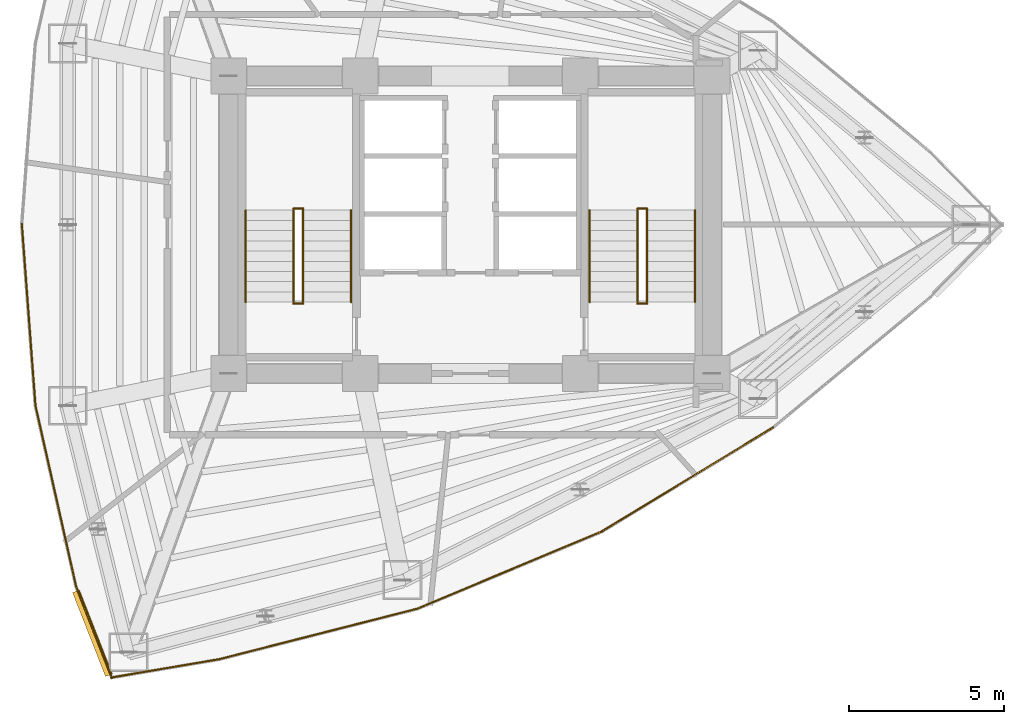
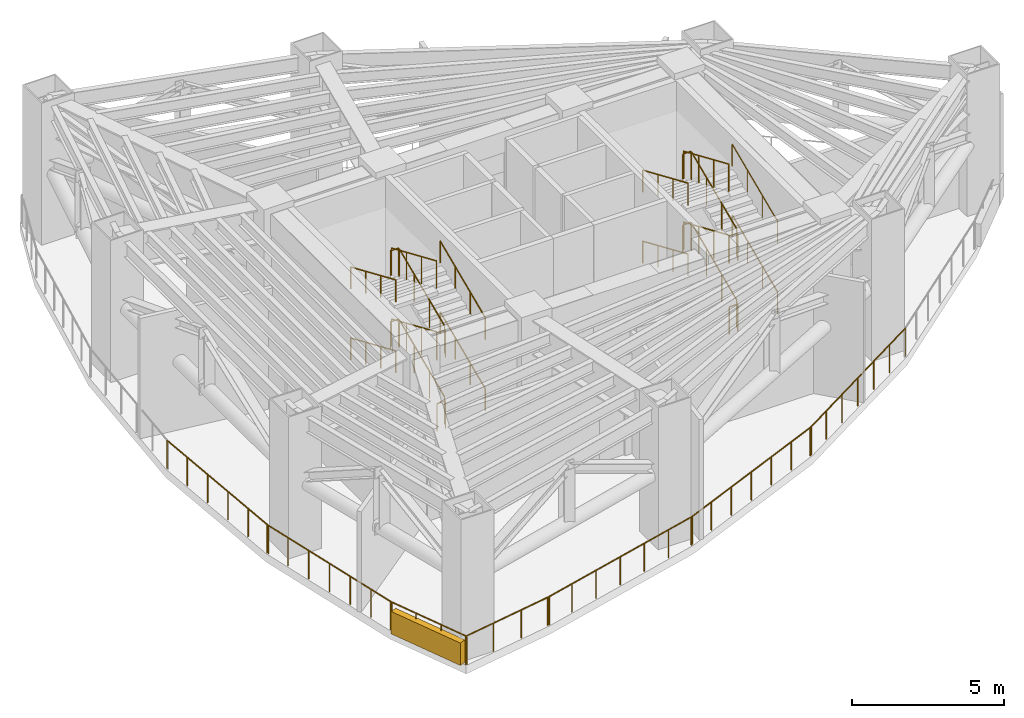
# One storey, part 6 of 7: 31 railings, 1 shading device.
"""IFC4 building model written with IfcOpenShell, lengths in metres."""

from ifc_helpers import new_model, si_unit, direction, frame, origin, origin_2d, place, context, subcontext, project, spatial, rectangle, circle, extrude, material, layer, layer_set, type_object, element, save


model = new_model("IFC4")

# Units and contexts
model_context = context("Model", 3, precision=1e-05, world=origin(), true_north=direction((0.0, 1.0)))
body_context = subcontext(model_context, "Body", "Model", "MODEL_VIEW")
ifc_project = project(units=[si_unit("LENGTHUNIT", "METRE"), si_unit("AREAUNIT", "SQUARE_METRE"), si_unit("VOLUMEUNIT", "CUBIC_METRE"), si_unit("PLANEANGLEUNIT", "RADIAN"), si_unit("MASSUNIT", "GRAM", prefix="KILO")], contexts=[model_context])

# Site, building, storey
site_placement = place(None, origin())
site = spatial("IfcSite", under=ifc_project, at=site_placement, CompositionType="ELEMENT")
building_placement = place(site_placement, origin())
building = spatial("IfcBuilding", under=site, at=building_placement, Name="Menara Vayukalpa", CompositionType="ELEMENT")
storey_placement = place(building_placement, frame((0.0, 0.0, 83.39990234375)))
storey = spatial("IfcBuildingStorey", under=building, at=storey_placement, Name="L20", CompositionType="ELEMENT", Elevation=83.39990234375)

# Railings
ifc_material_1 = material(Name="Laminated Glass and Stainless Steel 316 Guardrail", Category="steel")
railing_type_1 = type_object("IfcRailingType", Name="RLG-EXT115", PredefinedType="GUARDRAIL", material=ifc_material_1)
railing_1_placement = place(storey_placement, frame((35.376708984375, 15.462646484375, 0.0)))
element("IfcRailing", 1, at=railing_1_placement, inside=storey, type_object=railing_type_1, Name="L20 Wind Floor Perimeter Guardrail 02", PredefinedType="GUARDRAIL", context=body_context, shape_type="SweptSolid", body=[
    extrude(circle(Radius=0.02392578125, at=origin_2d()), frame((0.0, 0.0, 1.1259765625), z_axis=(-0.85465736355, -0.519192441133, 0.0), x_axis=(0.519192441133, -0.85465736355, 0.0)), (0.0, 0.0, 1.0), 6.509765625),
    extrude(circle(Radius=0.02099609375, at=origin_2d()), origin(), (0.0, 0.0, 1.0), 1.101806640625),
    extrude(circle(Radius=0.02099609375, at=origin_2d()), frame((-0.92724609375, -0.563232421875, 0.0)), (0.0, 0.0, 1.0), 1.101806640625),
    extrude(circle(Radius=0.02099609375, at=origin_2d()), frame((-1.8544921875, -1.126708984375, 0.0)), (0.0, 0.0, 1.0), 1.101806640625),
    extrude(circle(Radius=0.02099609375, at=origin_2d()), frame((-2.78173828125, -1.68994140625, 0.0)), (0.0, 0.0, 1.0), 1.101806640625),
    extrude(circle(Radius=0.02099609375, at=origin_2d()), frame((-3.709228515625, -2.253173828125, 0.0)), (0.0, 0.0, 1.0), 1.101806640625),
    extrude(circle(Radius=0.02099609375, at=origin_2d()), frame((-4.636474609375, -2.816650390625, 0.0)), (0.0, 0.0, 1.0), 1.101806640625),
    extrude(circle(Radius=0.02099609375, at=origin_2d()), frame((-5.563720703125, -3.3798828125, 0.0)), (0.0, 0.0, 1.0), 1.101806640625),
])
railing_2_placement = place(storey_placement, frame((29.8662109375, 12.110107421875, 0.0)))
element("IfcRailing", 2, at=railing_2_placement, inside=storey, type_object=railing_type_1, Name="L20 Wind Floor Perimeter Guardrail 03", PredefinedType="GUARDRAIL", context=body_context, shape_type="SweptSolid", body=[
    extrude(circle(Radius=0.02392578125, at=origin_2d()), frame((0.0, 0.0, 1.1259765625), z_axis=(-0.922537883867, -0.385906533802, 0.0), x_axis=(0.385906533802, -0.922537883867, 0.0)), (0.0, 0.0, 1.0), 6.509765625),
    extrude(circle(Radius=0.02099609375, at=origin_2d()), origin(), (0.0, 0.0, 1.0), 1.101806640625),
    extrude(circle(Radius=0.02099609375, at=origin_2d()), frame((-1.0009765625, -0.418701171875, 0.0)), (0.0, 0.0, 1.0), 1.101806640625),
    extrude(circle(Radius=0.02099609375, at=origin_2d()), frame((-2.001953125, -0.83740234375, 0.0)), (0.0, 0.0, 1.0), 1.101806640625),
    extrude(circle(Radius=0.02099609375, at=origin_2d()), frame((-3.0029296875, -1.256103515625, 0.0)), (0.0, 0.0, 1.0), 1.101806640625),
    extrude(circle(Radius=0.02099609375, at=origin_2d()), frame((-4.003662109375, -1.6748046875, 0.0)), (0.0, 0.0, 1.0), 1.101806640625),
    extrude(circle(Radius=0.02099609375, at=origin_2d()), frame((-5.004638671875, -2.093505859375, 0.0)), (0.0, 0.0, 1.0), 1.101806640625),
    extrude(circle(Radius=0.02099609375, at=origin_2d()), frame((-6.005615234375, -2.51220703125, 0.0)), (0.0, 0.0, 1.0), 1.101806640625),
])
railing_3_placement = place(storey_placement, frame((23.91748046875, 9.616943359375, 0.0)))
element("IfcRailing", 3, at=railing_3_placement, inside=storey, type_object=railing_type_1, Name="L20 Wind Floor Perimeter Guardrail 04", PredefinedType="GUARDRAIL", context=body_context, shape_type="SweptSolid", body=[
    extrude(circle(Radius=0.02392578125, at=origin_2d()), frame((0.0, 0.0, 1.1259765625), z_axis=(-0.968976990921, -0.247150947936, 0.0), x_axis=(0.247150947936, -0.968976990921, 0.0)), (0.0, 0.0, 1.0), 6.655029296875),
    extrude(circle(Radius=0.02099609375, at=origin_2d()), origin(), (0.0, 0.0, 1.0), 1.101806640625),
    extrude(circle(Radius=0.02099609375, at=origin_2d()), frame((-1.07470703125, -0.274169921875, 0.0)), (0.0, 0.0, 1.0), 1.101806640625),
    extrude(circle(Radius=0.02099609375, at=origin_2d()), frame((-2.1494140625, -0.54833984375, 0.0)), (0.0, 0.0, 1.0), 1.101806640625),
    extrude(circle(Radius=0.02099609375, at=origin_2d()), frame((-3.22412109375, -0.822265625, 0.0)), (0.0, 0.0, 1.0), 1.101806640625),
    extrude(circle(Radius=0.02099609375, at=origin_2d()), frame((-4.299072265625, -1.096435546875, 0.0)), (0.0, 0.0, 1.0), 1.101806640625),
    extrude(circle(Radius=0.02099609375, at=origin_2d()), frame((-5.373779296875, -1.37060546875, 0.0)), (0.0, 0.0, 1.0), 1.101806640625),
    extrude(circle(Radius=0.02099609375, at=origin_2d()), frame((-6.448486328125, -1.644775390625, 0.0)), (0.0, 0.0, 1.0), 1.101806640625),
])
railing_4_placement = place(storey_placement, frame((17.527587890625, 7.984619140625, 0.0)))
element("IfcRailing", 4, at=railing_4_placement, inside=storey, type_object=railing_type_1, Name="L20 Wind Floor Perimeter Guardrail 05", PredefinedType="GUARDRAIL", context=body_context, shape_type="SweptSolid", body=[
    extrude(circle(Radius=0.02392578125, at=origin_2d()), frame((0.0, 0.0, 1.1259765625), z_axis=(-0.985896769388, -0.167354593931, 0.0), x_axis=(0.167354593931, -0.985896769388, 0.0)), (0.0, 0.0, 1.0), 3.57568359375),
    extrude(circle(Radius=0.02099609375, at=origin_2d()), origin(), (0.0, 0.0, 1.0), 1.101806640625),
    extrude(circle(Radius=0.02099609375, at=origin_2d()), frame((-1.175048828125, -0.199462890625, 0.0)), (0.0, 0.0, 1.0), 1.101806640625),
    extrude(circle(Radius=0.02099609375, at=origin_2d()), frame((-2.35009765625, -0.39892578125, 0.0)), (0.0, 0.0, 1.0), 1.101806640625),
    extrude(circle(Radius=0.02099609375, at=origin_2d()), frame((-3.525146484375, -0.598388671875, 0.0)), (0.0, 0.0, 1.0), 1.101806640625),
])
railing_5_placement = place(storey_placement, frame((14.04296875, 7.36328125, 0.0)))
element("IfcRailing", 5, at=railing_5_placement, inside=storey, type_object=railing_type_1, Name="L20 Wind Floor Perimeter Guardrail 06", PredefinedType="GUARDRAIL", context=body_context, shape_type="SweptSolid", body=[
    extrude(circle(Radius=0.02392578125, at=origin_2d()), frame((0.0, 0.0, 1.1259765625), z_axis=(-0.365527782828, 0.930800429728, 0.0), x_axis=(-0.930800429728, -0.365527782828, 0.0)), (0.0, 0.0, 1.0), 3.21337890625),
    extrude(circle(Radius=0.02099609375, at=origin_2d()), origin(), (0.0, 0.0, 1.0), 1.101806640625),
    extrude(circle(Radius=0.02099609375, at=origin_2d()), frame((-0.3916015625, 0.9970703125, 0.0)), (0.0, 0.0, 1.0), 1.101806640625),
    extrude(circle(Radius=0.02099609375, at=origin_2d()), frame((-0.782958984375, 1.993896484375, 0.0)), (0.0, 0.0, 1.0), 1.101806640625),
    extrude(circle(Radius=0.02099609375, at=origin_2d()), frame((-1.174560546875, 2.990966796875, 0.0)), (0.0, 0.0, 1.0), 1.101806640625),
])
railing_6_placement = place(storey_placement, frame((12.885986328125, 10.297119140625, 0.0)))
element("IfcRailing", 6, at=railing_6_placement, inside=storey, type_object=railing_type_1, Name="L20 Wind Floor Perimeter Guardrail 07", PredefinedType="GUARDRAIL", context=body_context, shape_type="SweptSolid", body=[
    extrude(circle(Radius=0.02392578125, at=origin_2d()), frame((0.0, 0.0, 1.1259765625), z_axis=(-0.219509310912, 0.97561040504, 0.0), x_axis=(-0.97561040504, -0.219509310912, 0.0)), (0.0, 0.0, 1.0), 6.042724609375),
    extrude(circle(Radius=0.02099609375, at=origin_2d()), origin(), (0.0, 0.0, 1.0), 1.101806640625),
    extrude(circle(Radius=0.02099609375, at=origin_2d()), frame((-0.22119140625, 0.982421875, 0.0)), (0.0, 0.0, 1.0), 1.101806640625),
    extrude(circle(Radius=0.02099609375, at=origin_2d()), frame((-0.442138671875, 1.965087890625, 0.0)), (0.0, 0.0, 1.0), 1.101806640625),
    extrude(circle(Radius=0.02099609375, at=origin_2d()), frame((-0.6630859375, 2.94775390625, 0.0)), (0.0, 0.0, 1.0), 1.101806640625),
    extrude(circle(Radius=0.02099609375, at=origin_2d()), frame((-0.88427734375, 3.93017578125, 0.0)), (0.0, 0.0, 1.0), 1.101806640625),
    extrude(circle(Radius=0.02099609375, at=origin_2d()), frame((-1.10546875, 4.91259765625, 0.0)), (0.0, 0.0, 1.0), 1.101806640625),
    extrude(circle(Radius=0.02099609375, at=origin_2d()), frame((-1.326416015625, 5.895263671875, 0.0)), (0.0, 0.0, 1.0), 1.101806640625),
])
railing_7_placement = place(storey_placement, frame((11.568359375, 16.13330078125, 0.0)))
element("IfcRailing", 7, at=railing_7_placement, inside=storey, type_object=railing_type_1, Name="L20 Wind Floor Perimeter Guardrail 08", PredefinedType="GUARDRAIL", context=body_context, shape_type="SweptSolid", body=[
    extrude(circle(Radius=0.02392578125, at=origin_2d()), frame((0.0, 0.0, 1.1259765625), z_axis=(-0.0747735252, 0.997200541481, 0.0), x_axis=(-0.997200541481, -0.0747735252, 0.0)), (0.0, 0.0, 1.0), 5.9130859375),
    extrude(circle(Radius=0.02099609375, at=origin_2d()), origin(), (0.0, 0.0, 1.0), 1.101806640625),
    extrude(circle(Radius=0.02099609375, at=origin_2d()), frame((-0.08837890625, 1.17919921875, 0.0)), (0.0, 0.0, 1.0), 1.101806640625),
    extrude(circle(Radius=0.02099609375, at=origin_2d()), frame((-0.1767578125, 2.358642578125, 0.0)), (0.0, 0.0, 1.0), 1.101806640625),
    extrude(circle(Radius=0.02099609375, at=origin_2d()), frame((-0.265380859375, 3.537841796875, 0.0)), (0.0, 0.0, 1.0), 1.101806640625),
    extrude(circle(Radius=0.02099609375, at=origin_2d()), frame((-0.353759765625, 4.71728515625, 0.0)), (0.0, 0.0, 1.0), 1.101806640625),
    extrude(circle(Radius=0.02099609375, at=origin_2d()), frame((-0.442138671875, 5.896484375, 0.0)), (0.0, 0.0, 1.0), 1.101806640625),
])
ifc_material_2 = material(Name="Powder-Coated Galvanised Steel Guardrail", Category="steel")
railing_type_2 = type_object("IfcRailingType", Name="RLG-STG110", PredefinedType="GUARDRAIL", material=ifc_material_2)
railing_8_placement = place(storey_placement, frame((20.199951171875, 19.5, 0.142578125)))
element("IfcRailing", 8, at=railing_8_placement, inside=storey, type_object=railing_type_2, Name="L20 ST-1 stair guard 1", PredefinedType="GUARDRAIL", context=body_context, shape_type="SweptSolid", body=[
    extrude(circle(Radius=0.02392578125, at=origin_2d()), frame((0.0, 0.0, 1.09619140625), z_axis=(0.0, 0.918064226254, 0.39643167945), x_axis=(-1.0, 0.0, 0.0)), (0.0, 0.0, 1.0), 3.235107421875),
    extrude(circle(Radius=0.02099609375, at=origin_2d()), origin(), (0.0, 0.0, 1.0), 1.072021484375),
    extrude(circle(Radius=0.02099609375, at=origin_2d()), frame((0.0, 0.989990234375, 0.427490234375)), (0.0, 0.0, 1.0), 1.072021484375),
    extrude(circle(Radius=0.02099609375, at=origin_2d()), frame((0.0, 1.97998046875, 0.85498046875)), (0.0, 0.0, 1.0), 1.072021484375),
    extrude(circle(Radius=0.02099609375, at=origin_2d()), frame((0.0, 2.969970703125, 1.282470703125)), (0.0, 0.0, 1.0), 1.072021484375),
])
railing_9_placement = place(storey_placement, frame((20.2099609375, 22.52001953125, 1.425048828125)))
element("IfcRailing", 9, at=railing_9_placement, inside=storey, type_object=railing_type_2, Name="L20 ST-1 stair guard 2", PredefinedType="GUARDRAIL", context=body_context, shape_type="SweptSolid", body=[
    extrude(circle(Radius=0.02392578125, at=origin_2d()), frame((0.0, 0.0, 1.09619140625), z_axis=(-1.0, 0.0, 0.0), x_axis=(0.0, -1.0, 0.0)), (0.0, 0.0, 1.0), 0.320068359375),
    extrude(circle(Radius=0.02099609375, at=origin_2d()), origin(), (0.0, 0.0, 1.0), 1.072021484375),
    extrude(circle(Radius=0.02099609375, at=origin_2d()), frame((-0.320068359375, 0.0, 0.0)), (0.0, 0.0, 1.0), 1.072021484375),
])
railing_10_placement = place(storey_placement, frame((19.89990234375, 22.469970703125, 1.567626953125)))
element("IfcRailing", 10, at=railing_10_placement, inside=storey, type_object=railing_type_2, Name="L20 ST-1 stair guard 3", PredefinedType="GUARDRAIL", context=body_context, shape_type="SweptSolid", body=[
    extrude(circle(Radius=0.02392578125, at=origin_2d()), frame((0.0, 0.0, 1.09619140625), z_axis=(0.0, -0.918064226254, 0.39643167945), x_axis=(1.0, 0.0, 0.0)), (0.0, 0.0, 1.0), 3.235107421875),
    extrude(circle(Radius=0.02099609375, at=origin_2d()), origin(), (0.0, 0.0, 1.0), 1.072021484375),
    extrude(circle(Radius=0.02099609375, at=origin_2d()), frame((0.0, -0.989990234375, 0.427490234375)), (0.0, 0.0, 1.0), 1.072021484375),
    extrude(circle(Radius=0.02099609375, at=origin_2d()), frame((0.0, -1.97998046875, 0.85498046875)), (0.0, 0.0, 1.0), 1.072021484375),
    extrude(circle(Radius=0.02099609375, at=origin_2d()), frame((0.0, -2.969970703125, 1.282470703125)), (0.0, 0.0, 1.0), 1.072021484375),
])
railing_11_placement = place(storey_placement, frame((20.2099609375, 19.449951171875, 2.85009765625)))
element("IfcRailing", 11, at=railing_11_placement, inside=storey, type_object=railing_type_2, Name="L20 ST-1 stair guard 4", PredefinedType="GUARDRAIL", context=body_context, shape_type="SweptSolid", body=[
    extrude(circle(Radius=0.02392578125, at=origin_2d()), frame((0.0, 0.0, 1.09619140625), z_axis=(-1.0, 0.0, 0.0), x_axis=(0.0, -1.0, 0.0)), (0.0, 0.0, 1.0), 0.320068359375),
    extrude(circle(Radius=0.02099609375, at=origin_2d()), origin(), (0.0, 0.0, 1.0), 1.072021484375),
    extrude(circle(Radius=0.02099609375, at=origin_2d()), frame((-0.320068359375, 0.0, 0.0)), (0.0, 0.0, 1.0), 1.072021484375),
])
railing_12_placement = place(storey_placement, frame((20.199951171875, 19.5, 2.99267578125)))
element("IfcRailing", 12, at=railing_12_placement, inside=storey, type_object=railing_type_2, Name="L20 ST-1 stair guard 5", PredefinedType="GUARDRAIL", context=body_context, shape_type="SweptSolid", body=[
    extrude(circle(Radius=0.02392578125, at=origin_2d()), frame((0.0, 0.0, 1.09619140625), z_axis=(0.0, 0.918064226254, 0.39643167945), x_axis=(-1.0, 0.0, 0.0)), (0.0, 0.0, 1.0), 3.235107421875),
    extrude(circle(Radius=0.02099609375, at=origin_2d()), origin(), (0.0, 0.0, 1.0), 1.072021484375),
    extrude(circle(Radius=0.02099609375, at=origin_2d()), frame((0.0, 0.989990234375, 0.427490234375)), (0.0, 0.0, 1.0), 1.072021484375),
    extrude(circle(Radius=0.02099609375, at=origin_2d()), frame((0.0, 1.97998046875, 0.85498046875)), (0.0, 0.0, 1.0), 1.072021484375),
    extrude(circle(Radius=0.02099609375, at=origin_2d()), frame((0.0, 2.969970703125, 1.282470703125)), (0.0, 0.0, 1.0), 1.072021484375),
])
railing_13_placement = place(storey_placement, frame((20.2099609375, 22.52001953125, 4.275146484375)))
element("IfcRailing", 13, at=railing_13_placement, inside=storey, type_object=railing_type_2, Name="L20 ST-1 stair guard 6", PredefinedType="GUARDRAIL", context=body_context, shape_type="SweptSolid", body=[
    extrude(circle(Radius=0.02392578125, at=origin_2d()), frame((0.0, 0.0, 1.09619140625), z_axis=(-1.0, 0.0, 0.0), x_axis=(0.0, -1.0, 0.0)), (0.0, 0.0, 1.0), 0.320068359375),
    extrude(circle(Radius=0.02099609375, at=origin_2d()), origin(), (0.0, 0.0, 1.0), 1.072021484375),
    extrude(circle(Radius=0.02099609375, at=origin_2d()), frame((-0.320068359375, 0.0, 0.0)), (0.0, 0.0, 1.0), 1.072021484375),
])
railing_14_placement = place(storey_placement, frame((19.89990234375, 22.469970703125, 4.41748046875)))
element("IfcRailing", 14, at=railing_14_placement, inside=storey, type_object=railing_type_2, Name="L20 ST-1 stair guard 7", PredefinedType="GUARDRAIL", context=body_context, shape_type="SweptSolid", body=[
    extrude(circle(Radius=0.02392578125, at=origin_2d()), frame((0.0, 0.0, 1.09619140625), z_axis=(0.0, -0.918036758433, 0.396495283913), x_axis=(1.0, 0.0, 0.0)), (0.0, 0.0, 1.0), 3.235107421875),
    extrude(circle(Radius=0.02099609375, at=origin_2d()), origin(), (0.0, 0.0, 1.0), 1.072021484375),
    extrude(circle(Radius=0.02099609375, at=origin_2d()), frame((0.0, -0.989990234375, 0.427490234375)), (0.0, 0.0, 1.0), 1.072021484375),
    extrude(circle(Radius=0.02099609375, at=origin_2d()), frame((0.0, -1.97998046875, 0.855224609375)), (0.0, 0.0, 1.0), 1.072021484375),
    extrude(circle(Radius=0.02099609375, at=origin_2d()), frame((0.0, -2.969970703125, 1.28271484375)), (0.0, 0.0, 1.0), 1.072021484375),
])
railing_15_placement = place(storey_placement, frame((20.2099609375, 19.449951171875, 0.0)))
element("IfcRailing", 15, at=railing_15_placement, inside=storey, type_object=railing_type_2, Name="L20 ST-1 stair guard 8", PredefinedType="GUARDRAIL", context=body_context, shape_type="SweptSolid", body=[
    extrude(circle(Radius=0.02392578125, at=origin_2d()), frame((0.0, 0.0, 1.09619140625), z_axis=(-1.0, 0.0, 0.0), x_axis=(0.0, -1.0, 0.0)), (0.0, 0.0, 1.0), 0.320068359375),
    extrude(circle(Radius=0.02099609375, at=origin_2d()), origin(), (0.0, 0.0, 1.0), 1.072021484375),
    extrude(circle(Radius=0.02099609375, at=origin_2d()), frame((-0.320068359375, 0.0, 0.0)), (0.0, 0.0, 1.0), 1.072021484375),
])
railing_16_placement = place(storey_placement, frame((31.300048828125, 19.5, 0.142578125)))
element("IfcRailing", 16, at=railing_16_placement, inside=storey, type_object=railing_type_2, Name="L20 ST-2 stair guard 1", PredefinedType="GUARDRAIL", context=body_context, shape_type="SweptSolid", body=[
    extrude(circle(Radius=0.02392578125, at=origin_2d()), frame((0.0, 0.0, 1.09619140625), z_axis=(0.0, 0.918064226254, 0.39643167945), x_axis=(-1.0, 0.0, 0.0)), (0.0, 0.0, 1.0), 3.235107421875),
    extrude(circle(Radius=0.02099609375, at=origin_2d()), origin(), (0.0, 0.0, 1.0), 1.072021484375),
    extrude(circle(Radius=0.02099609375, at=origin_2d()), frame((0.0, 0.989990234375, 0.427490234375)), (0.0, 0.0, 1.0), 1.072021484375),
    extrude(circle(Radius=0.02099609375, at=origin_2d()), frame((0.0, 1.97998046875, 0.85498046875)), (0.0, 0.0, 1.0), 1.072021484375),
    extrude(circle(Radius=0.02099609375, at=origin_2d()), frame((0.0, 2.969970703125, 1.282470703125)), (0.0, 0.0, 1.0), 1.072021484375),
])
railing_17_placement = place(storey_placement, frame((31.31005859375, 22.52001953125, 1.425048828125)))
element("IfcRailing", 17, at=railing_17_placement, inside=storey, type_object=railing_type_2, Name="L20 ST-2 stair guard 2", PredefinedType="GUARDRAIL", context=body_context, shape_type="SweptSolid", body=[
    extrude(circle(Radius=0.02392578125, at=origin_2d()), frame((0.0, 0.0, 1.09619140625), z_axis=(-1.0, 0.0, 0.0), x_axis=(0.0, -1.0, 0.0)), (0.0, 0.0, 1.0), 0.320068359375),
    extrude(circle(Radius=0.02099609375, at=origin_2d()), origin(), (0.0, 0.0, 1.0), 1.072021484375),
    extrude(circle(Radius=0.02099609375, at=origin_2d()), frame((-0.320068359375, 0.0, 0.0)), (0.0, 0.0, 1.0), 1.072021484375),
])
railing_18_placement = place(storey_placement, frame((31.0, 22.469970703125, 1.567626953125)))
element("IfcRailing", 18, at=railing_18_placement, inside=storey, type_object=railing_type_2, Name="L20 ST-2 stair guard 3", PredefinedType="GUARDRAIL", context=body_context, shape_type="SweptSolid", body=[
    extrude(circle(Radius=0.02392578125, at=origin_2d()), frame((0.0, 0.0, 1.09619140625), z_axis=(0.0, -0.918064226254, 0.39643167945), x_axis=(1.0, 0.0, 0.0)), (0.0, 0.0, 1.0), 3.235107421875),
    extrude(circle(Radius=0.02099609375, at=origin_2d()), origin(), (0.0, 0.0, 1.0), 1.072021484375),
    extrude(circle(Radius=0.02099609375, at=origin_2d()), frame((0.0, -0.989990234375, 0.427490234375)), (0.0, 0.0, 1.0), 1.072021484375),
    extrude(circle(Radius=0.02099609375, at=origin_2d()), frame((0.0, -1.97998046875, 0.85498046875)), (0.0, 0.0, 1.0), 1.072021484375),
    extrude(circle(Radius=0.02099609375, at=origin_2d()), frame((0.0, -2.969970703125, 1.282470703125)), (0.0, 0.0, 1.0), 1.072021484375),
])
railing_19_placement = place(storey_placement, frame((31.31005859375, 19.449951171875, 2.85009765625)))
element("IfcRailing", 19, at=railing_19_placement, inside=storey, type_object=railing_type_2, Name="L20 ST-2 stair guard 4", PredefinedType="GUARDRAIL", context=body_context, shape_type="SweptSolid", body=[
    extrude(circle(Radius=0.02392578125, at=origin_2d()), frame((0.0, 0.0, 1.09619140625), z_axis=(-1.0, 0.0, 0.0), x_axis=(0.0, -1.0, 0.0)), (0.0, 0.0, 1.0), 0.320068359375),
    extrude(circle(Radius=0.02099609375, at=origin_2d()), origin(), (0.0, 0.0, 1.0), 1.072021484375),
    extrude(circle(Radius=0.02099609375, at=origin_2d()), frame((-0.320068359375, 0.0, 0.0)), (0.0, 0.0, 1.0), 1.072021484375),
])
railing_20_placement = place(storey_placement, frame((31.300048828125, 19.5, 2.99267578125)))
element("IfcRailing", 20, at=railing_20_placement, inside=storey, type_object=railing_type_2, Name="L20 ST-2 stair guard 5", PredefinedType="GUARDRAIL", context=body_context, shape_type="SweptSolid", body=[
    extrude(circle(Radius=0.02392578125, at=origin_2d()), frame((0.0, 0.0, 1.09619140625), z_axis=(0.0, 0.918064226254, 0.39643167945), x_axis=(-1.0, 0.0, 0.0)), (0.0, 0.0, 1.0), 3.235107421875),
    extrude(circle(Radius=0.02099609375, at=origin_2d()), origin(), (0.0, 0.0, 1.0), 1.072021484375),
    extrude(circle(Radius=0.02099609375, at=origin_2d()), frame((0.0, 0.989990234375, 0.427490234375)), (0.0, 0.0, 1.0), 1.072021484375),
    extrude(circle(Radius=0.02099609375, at=origin_2d()), frame((0.0, 1.97998046875, 0.85498046875)), (0.0, 0.0, 1.0), 1.072021484375),
    extrude(circle(Radius=0.02099609375, at=origin_2d()), frame((0.0, 2.969970703125, 1.282470703125)), (0.0, 0.0, 1.0), 1.072021484375),
])
railing_21_placement = place(storey_placement, frame((31.31005859375, 22.52001953125, 4.275146484375)))
element("IfcRailing", 21, at=railing_21_placement, inside=storey, type_object=railing_type_2, Name="L20 ST-2 stair guard 6", PredefinedType="GUARDRAIL", context=body_context, shape_type="SweptSolid", body=[
    extrude(circle(Radius=0.02392578125, at=origin_2d()), frame((0.0, 0.0, 1.09619140625), z_axis=(-1.0, 0.0, 0.0), x_axis=(0.0, -1.0, 0.0)), (0.0, 0.0, 1.0), 0.320068359375),
    extrude(circle(Radius=0.02099609375, at=origin_2d()), origin(), (0.0, 0.0, 1.0), 1.072021484375),
    extrude(circle(Radius=0.02099609375, at=origin_2d()), frame((-0.320068359375, 0.0, 0.0)), (0.0, 0.0, 1.0), 1.072021484375),
])
railing_22_placement = place(storey_placement, frame((31.0, 22.469970703125, 4.41748046875)))
element("IfcRailing", 22, at=railing_22_placement, inside=storey, type_object=railing_type_2, Name="L20 ST-2 stair guard 7", PredefinedType="GUARDRAIL", context=body_context, shape_type="SweptSolid", body=[
    extrude(circle(Radius=0.02392578125, at=origin_2d()), frame((0.0, 0.0, 1.09619140625), z_axis=(0.0, -0.918036758433, 0.396495283913), x_axis=(1.0, 0.0, 0.0)), (0.0, 0.0, 1.0), 3.235107421875),
    extrude(circle(Radius=0.02099609375, at=origin_2d()), origin(), (0.0, 0.0, 1.0), 1.072021484375),
    extrude(circle(Radius=0.02099609375, at=origin_2d()), frame((0.0, -0.989990234375, 0.427490234375)), (0.0, 0.0, 1.0), 1.072021484375),
    extrude(circle(Radius=0.02099609375, at=origin_2d()), frame((0.0, -1.97998046875, 0.855224609375)), (0.0, 0.0, 1.0), 1.072021484375),
    extrude(circle(Radius=0.02099609375, at=origin_2d()), frame((0.0, -2.969970703125, 1.28271484375)), (0.0, 0.0, 1.0), 1.072021484375),
])
railing_23_placement = place(storey_placement, frame((31.31005859375, 19.449951171875, 0.0)))
element("IfcRailing", 23, at=railing_23_placement, inside=storey, type_object=railing_type_2, Name="L20 ST-2 stair guard 8", PredefinedType="GUARDRAIL", context=body_context, shape_type="SweptSolid", body=[
    extrude(circle(Radius=0.02392578125, at=origin_2d()), frame((0.0, 0.0, 1.09619140625), z_axis=(-1.0, 0.0, 0.0), x_axis=(0.0, -1.0, 0.0)), (0.0, 0.0, 1.0), 0.320068359375),
    extrude(circle(Radius=0.02099609375, at=origin_2d()), origin(), (0.0, 0.0, 1.0), 1.072021484375),
    extrude(circle(Radius=0.02099609375, at=origin_2d()), frame((-0.320068359375, 0.0, 0.0)), (0.0, 0.0, 1.0), 1.072021484375),
])
ifc_material_3 = material(Name="Stainless Steel 316 Tubular Handrail", Category="steel")
railing_type_3 = type_object("IfcRailingType", Name="RLG-STH090", PredefinedType="HANDRAIL", material=ifc_material_3)
railing_24_placement = place(storey_placement, frame((21.75, 19.5, 0.142578125)))
element("IfcRailing", 24, at=railing_24_placement, inside=storey, type_object=railing_type_3, Name="L20 ST-1 stair handrail 1", PredefinedType="HANDRAIL", context=body_context, shape_type="SweptSolid", body=[
    extrude(circle(Radius=0.02392578125, at=origin_2d()), frame((0.0, 0.0, 0.8759765625), z_axis=(0.0, 0.918064226254, 0.39643167945), x_axis=(-1.0, 0.0, 0.0)), (0.0, 0.0, 1.0), 3.235107421875),
    extrude(circle(Radius=0.02099609375, at=origin_2d()), origin(), (0.0, 0.0, 1.0), 0.851806640625),
    extrude(circle(Radius=0.02099609375, at=origin_2d()), frame((0.0, 0.989990234375, 0.427490234375)), (0.0, 0.0, 1.0), 0.851806640625),
    extrude(circle(Radius=0.02099609375, at=origin_2d()), frame((0.0, 1.97998046875, 0.85498046875)), (0.0, 0.0, 1.0), 0.851806640625),
    extrude(circle(Radius=0.02099609375, at=origin_2d()), frame((0.0, 2.969970703125, 1.282470703125)), (0.0, 0.0, 1.0), 0.851806640625),
])
railing_25_placement = place(storey_placement, frame((18.35009765625, 22.469970703125, 1.567626953125)))
element("IfcRailing", 25, at=railing_25_placement, inside=storey, type_object=railing_type_3, Name="L20 ST-1 stair handrail 2", PredefinedType="HANDRAIL", context=body_context, shape_type="SweptSolid", body=[
    extrude(circle(Radius=0.02392578125, at=origin_2d()), frame((0.0, 0.0, 0.8759765625), z_axis=(0.0, -0.918064226254, 0.39643167945), x_axis=(1.0, 0.0, 0.0)), (0.0, 0.0, 1.0), 3.235107421875),
    extrude(circle(Radius=0.02099609375, at=origin_2d()), origin(), (0.0, 0.0, 1.0), 0.851806640625),
    extrude(circle(Radius=0.02099609375, at=origin_2d()), frame((0.0, -0.989990234375, 0.427490234375)), (0.0, 0.0, 1.0), 0.851806640625),
    extrude(circle(Radius=0.02099609375, at=origin_2d()), frame((0.0, -1.97998046875, 0.85498046875)), (0.0, 0.0, 1.0), 0.851806640625),
    extrude(circle(Radius=0.02099609375, at=origin_2d()), frame((0.0, -2.969970703125, 1.282470703125)), (0.0, 0.0, 1.0), 0.851806640625),
])
railing_26_placement = place(storey_placement, frame((21.75, 19.5, 2.99267578125)))
element("IfcRailing", 26, at=railing_26_placement, inside=storey, type_object=railing_type_3, Name="L20 ST-1 stair handrail 3", PredefinedType="HANDRAIL", context=body_context, shape_type="SweptSolid", body=[
    extrude(circle(Radius=0.02392578125, at=origin_2d()), frame((0.0, 0.0, 0.8759765625), z_axis=(0.0, 0.918064226254, 0.39643167945), x_axis=(-1.0, 0.0, 0.0)), (0.0, 0.0, 1.0), 3.235107421875),
    extrude(circle(Radius=0.02099609375, at=origin_2d()), origin(), (0.0, 0.0, 1.0), 0.851806640625),
    extrude(circle(Radius=0.02099609375, at=origin_2d()), frame((0.0, 0.989990234375, 0.427490234375)), (0.0, 0.0, 1.0), 0.851806640625),
    extrude(circle(Radius=0.02099609375, at=origin_2d()), frame((0.0, 1.97998046875, 0.85498046875)), (0.0, 0.0, 1.0), 0.851806640625),
    extrude(circle(Radius=0.02099609375, at=origin_2d()), frame((0.0, 2.969970703125, 1.282470703125)), (0.0, 0.0, 1.0), 0.851806640625),
])
railing_27_placement = place(storey_placement, frame((18.35009765625, 22.469970703125, 4.41748046875)))
element("IfcRailing", 27, at=railing_27_placement, inside=storey, type_object=railing_type_3, Name="L20 ST-1 stair handrail 4", PredefinedType="HANDRAIL", context=body_context, shape_type="SweptSolid", body=[
    extrude(circle(Radius=0.02392578125, at=origin_2d()), frame((0.0, 0.0, 0.8759765625), z_axis=(0.0, -0.918036758433, 0.396495283913), x_axis=(1.0, 0.0, 0.0)), (0.0, 0.0, 1.0), 3.235107421875),
    extrude(circle(Radius=0.02099609375, at=origin_2d()), origin(), (0.0, 0.0, 1.0), 0.851806640625),
    extrude(circle(Radius=0.02099609375, at=origin_2d()), frame((0.0, -0.989990234375, 0.427490234375)), (0.0, 0.0, 1.0), 0.851806640625),
    extrude(circle(Radius=0.02099609375, at=origin_2d()), frame((0.0, -1.97998046875, 0.855224609375)), (0.0, 0.0, 1.0), 0.851806640625),
    extrude(circle(Radius=0.02099609375, at=origin_2d()), frame((0.0, -2.969970703125, 1.28271484375)), (0.0, 0.0, 1.0), 0.851806640625),
])
railing_28_placement = place(storey_placement, frame((32.85009765625, 19.5, 0.142578125)))
element("IfcRailing", 28, at=railing_28_placement, inside=storey, type_object=railing_type_3, Name="L20 ST-2 stair handrail 1", PredefinedType="HANDRAIL", context=body_context, shape_type="SweptSolid", body=[
    extrude(circle(Radius=0.02392578125, at=origin_2d()), frame((0.0, 0.0, 0.8759765625), z_axis=(0.0, 0.918064226254, 0.39643167945), x_axis=(-1.0, 0.0, 0.0)), (0.0, 0.0, 1.0), 3.235107421875),
    extrude(circle(Radius=0.02099609375, at=origin_2d()), origin(), (0.0, 0.0, 1.0), 0.851806640625),
    extrude(circle(Radius=0.02099609375, at=origin_2d()), frame((0.0, 0.989990234375, 0.427490234375)), (0.0, 0.0, 1.0), 0.851806640625),
    extrude(circle(Radius=0.02099609375, at=origin_2d()), frame((0.0, 1.97998046875, 0.85498046875)), (0.0, 0.0, 1.0), 0.851806640625),
    extrude(circle(Radius=0.02099609375, at=origin_2d()), frame((0.0, 2.969970703125, 1.282470703125)), (0.0, 0.0, 1.0), 0.851806640625),
])
railing_29_placement = place(storey_placement, frame((29.449951171875, 22.469970703125, 1.567626953125)))
element("IfcRailing", 29, at=railing_29_placement, inside=storey, type_object=railing_type_3, Name="L20 ST-2 stair handrail 2", PredefinedType="HANDRAIL", context=body_context, shape_type="SweptSolid", body=[
    extrude(circle(Radius=0.02392578125, at=origin_2d()), frame((0.0, 0.0, 0.8759765625), z_axis=(0.0, -0.918064226254, 0.39643167945), x_axis=(1.0, 0.0, 0.0)), (0.0, 0.0, 1.0), 3.235107421875),
    extrude(circle(Radius=0.02099609375, at=origin_2d()), origin(), (0.0, 0.0, 1.0), 0.851806640625),
    extrude(circle(Radius=0.02099609375, at=origin_2d()), frame((0.0, -0.989990234375, 0.427490234375)), (0.0, 0.0, 1.0), 0.851806640625),
    extrude(circle(Radius=0.02099609375, at=origin_2d()), frame((0.0, -1.97998046875, 0.85498046875)), (0.0, 0.0, 1.0), 0.851806640625),
    extrude(circle(Radius=0.02099609375, at=origin_2d()), frame((0.0, -2.969970703125, 1.282470703125)), (0.0, 0.0, 1.0), 0.851806640625),
])
railing_30_placement = place(storey_placement, frame((32.85009765625, 19.5, 2.99267578125)))
element("IfcRailing", 30, at=railing_30_placement, inside=storey, type_object=railing_type_3, Name="L20 ST-2 stair handrail 3", PredefinedType="HANDRAIL", context=body_context, shape_type="SweptSolid", body=[
    extrude(circle(Radius=0.02392578125, at=origin_2d()), frame((0.0, 0.0, 0.8759765625), z_axis=(0.0, 0.918064226254, 0.39643167945), x_axis=(-1.0, 0.0, 0.0)), (0.0, 0.0, 1.0), 3.235107421875),
    extrude(circle(Radius=0.02099609375, at=origin_2d()), origin(), (0.0, 0.0, 1.0), 0.851806640625),
    extrude(circle(Radius=0.02099609375, at=origin_2d()), frame((0.0, 0.989990234375, 0.427490234375)), (0.0, 0.0, 1.0), 0.851806640625),
    extrude(circle(Radius=0.02099609375, at=origin_2d()), frame((0.0, 1.97998046875, 0.85498046875)), (0.0, 0.0, 1.0), 0.851806640625),
    extrude(circle(Radius=0.02099609375, at=origin_2d()), frame((0.0, 2.969970703125, 1.282470703125)), (0.0, 0.0, 1.0), 0.851806640625),
])
railing_31_placement = place(storey_placement, frame((29.449951171875, 22.469970703125, 4.41748046875)))
element("IfcRailing", 31, at=railing_31_placement, inside=storey, type_object=railing_type_3, Name="L20 ST-2 stair handrail 4", PredefinedType="HANDRAIL", context=body_context, shape_type="SweptSolid", body=[
    extrude(circle(Radius=0.02392578125, at=origin_2d()), frame((0.0, 0.0, 0.8759765625), z_axis=(0.0, -0.918036758433, 0.396495283913), x_axis=(1.0, 0.0, 0.0)), (0.0, 0.0, 1.0), 3.235107421875),
    extrude(circle(Radius=0.02099609375, at=origin_2d()), origin(), (0.0, 0.0, 1.0), 0.851806640625),
    extrude(circle(Radius=0.02099609375, at=origin_2d()), frame((0.0, -0.989990234375, 0.427490234375)), (0.0, 0.0, 1.0), 0.851806640625),
    extrude(circle(Radius=0.02099609375, at=origin_2d()), frame((0.0, -1.97998046875, 0.855224609375)), (0.0, 0.0, 1.0), 0.851806640625),
    extrude(circle(Radius=0.02099609375, at=origin_2d()), frame((0.0, -2.969970703125, 1.28271484375)), (0.0, 0.0, 1.0), 0.851806640625),
])

# Shading device
ifc_material_4 = material(Name="Anodised Terracotta Aluminium Acoustic Louvre", Category="masonry")
ifc_layer = layer(ifc_material_4, 0.280029296875)
ifc_layer_set = layer_set([ifc_layer], Name="Anodised Terracotta Aluminium Acoustic Louvre")
shading_device_type = type_object("IfcShadingDeviceType", Name="SHD-LV1", PredefinedType="JALOUSIE", material=ifc_layer_set)
shading_device_placement = place(storey_placement, frame((13.407958984375, 8.81640625, 0.000244140625), z_axis=(0.0, 0.0, 1.0), x_axis=(0.365542940431, -0.930794477154, 0.0)))
element("IfcShadingDevice", 32, at=shading_device_placement, inside=storey, type_object=shading_device_type, Name="L20 Wind Floor Acoustic Louvre Screen 13", PredefinedType="JALOUSIE", context=body_context, shape_type="SweptSolid", body=[
    extrude(rectangle(XDim=2.906494140625, YDim=0.239990234375, at=origin_2d()), origin(), (0.0, 0.0, 1.0), 0.89990234375),
])

save(model, "model.ifc")
